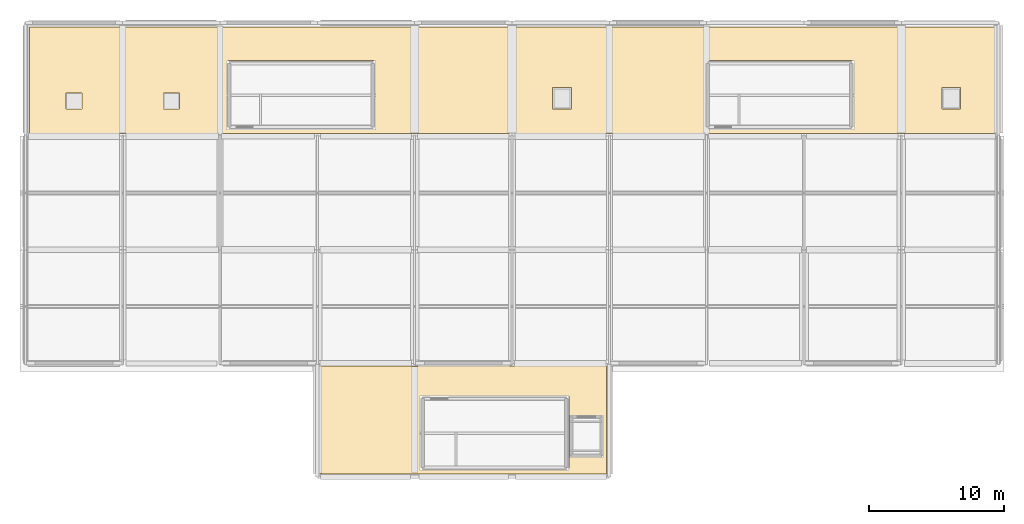
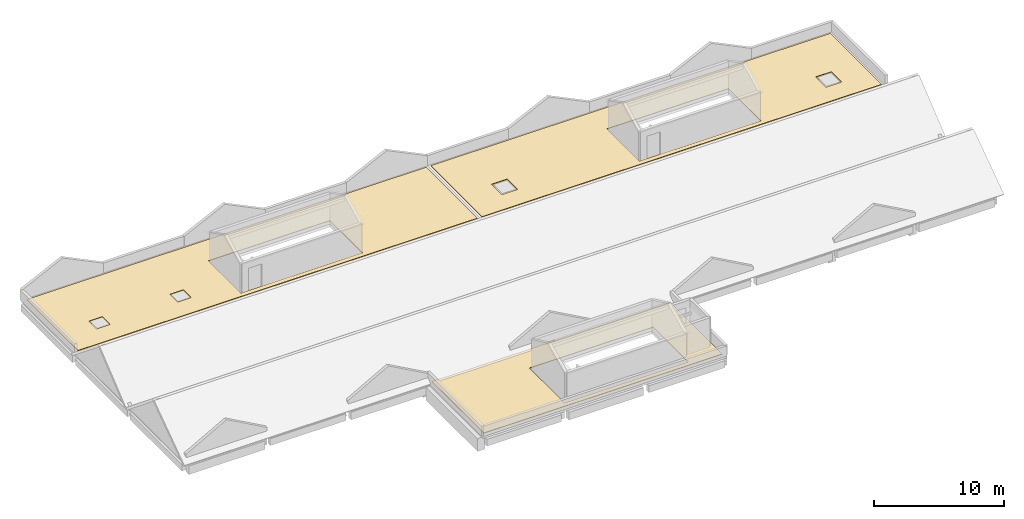
# One storey, part 5 of 5: 3 coverings.
"""IFC4 building model written with IfcOpenShell, lengths in metres."""

from ifc_helpers import new_model, si_unit, direction, frame, origin, place, context, subcontext, project, spatial, polyline, outline, extrude, material, layer, layer_set, type_object, element, save


model = new_model("IFC4")

# Units and contexts
model_context = context("Model", 3, precision=1e-05, world=origin(), true_north=direction((0.0, 1.0)))
body_context = subcontext(model_context, "Body", "Model", "MODEL_VIEW")
ifc_project = project(units=[si_unit("LENGTHUNIT", "METRE"), si_unit("AREAUNIT", "SQUARE_METRE"), si_unit("VOLUMEUNIT", "CUBIC_METRE"), si_unit("PLANEANGLEUNIT", "RADIAN"), si_unit("MASSUNIT", "GRAM", prefix="KILO")], contexts=[model_context])

# Site, building, storey
site_placement = place(None, origin())
site = spatial("IfcSite", under=ifc_project, at=site_placement, CompositionType="ELEMENT")
building_placement = place(site_placement, origin())
building = spatial("IfcBuilding", under=site, at=building_placement, Name="Kalluvel Institute of Natural Sciences", CompositionType="ELEMENT")
storey_placement = place(building_placement, frame((0.0, 0.0, 41.39990234375)))
storey = spatial("IfcBuildingStorey", under=building, at=storey_placement, Name="RF", CompositionType="ELEMENT", Elevation=41.39990234375)

# Coverings
ifc_material = material(Name="SBS Polymer-Modified Bitumen Waterproofing", Category="bitumen")
ifc_layer = layer(ifc_material, 0.06005859375)
ifc_layer_set = layer_set([ifc_layer], Name="SBS Polymer-Modified Bitumen Waterproofing")
covering_type = type_object("IfcCoveringType", Name="COV-ROOF-SBS", PredefinedType="ROOFING", material=ifc_layer_set)
covering_1_placement = place(storey_placement, origin())
element("IfcCovering", 1, at=covering_1_placement, inside=storey, type_object=covering_type, Name="RF SBS roof waterproofing build-up RM-RF-NWALK-W", PredefinedType="ROOFING", context=body_context, shape_type="SweptSolid", body=[
    extrude(outline(polyline([(14.300048828125, 119.800048828125), (49.800048828125, 119.800048828125), (49.800048828125, 127.699951171875), (14.300048828125, 127.699951171875), (14.300048828125, 119.800048828125)]), holes=[polyline([(29.0, 120.199951171875), (39.800048828125, 120.199951171875), (39.800048828125, 125.199951171875), (29.0, 125.199951171875), (29.0, 120.199951171875)]), polyline([(17.0, 121.60009765625), (18.199951171875, 121.60009765625), (18.199951171875, 122.800048828125), (17.0, 122.800048828125), (17.0, 121.60009765625)]), polyline([(24.199951171875, 121.60009765625), (25.39990234375, 121.60009765625), (25.39990234375, 122.800048828125), (24.199951171875, 122.800048828125), (24.199951171875, 121.60009765625)])]), origin(), (0.0, 0.0, 1.0), 0.06005859375),
])
covering_2_placement = place(storey_placement, origin())
element("IfcCovering", 2, at=covering_2_placement, inside=storey, type_object=covering_type, Name="RF SBS roof waterproofing build-up RM-RF-NWALK-E", PredefinedType="ROOFING", context=body_context, shape_type="SweptSolid", body=[
    extrude(outline(polyline([(50.199951171875, 119.800048828125), (85.699951171875, 119.800048828125), (85.699951171875, 127.699951171875), (50.199951171875, 127.699951171875), (50.199951171875, 119.800048828125)]), holes=[polyline([(64.39990234375, 120.199951171875), (75.199951171875, 120.199951171875), (75.199951171875, 125.199951171875), (64.39990234375, 125.199951171875), (64.39990234375, 120.199951171875)]), polyline([(53.0, 121.60009765625), (54.39990234375, 121.60009765625), (54.39990234375, 123.199951171875), (53.0, 123.199951171875), (53.0, 121.60009765625)]), polyline([(81.800048828125, 121.60009765625), (83.199951171875, 121.60009765625), (83.199951171875, 123.199951171875), (81.800048828125, 123.199951171875), (81.800048828125, 121.60009765625)])]), origin(), (0.0, 0.0, 1.0), 0.06005859375),
])
covering_3_placement = place(storey_placement, origin())
element("IfcCovering", 3, at=covering_3_placement, inside=storey, type_object=covering_type, Name="RF SBS roof waterproofing build-up RM-RF-KN", PredefinedType="ROOFING", context=body_context, shape_type="SweptSolid", body=[
    extrude(outline(polyline([(35.800048828125, 94.60009765625), (57.0, 94.60009765625), (57.0, 102.60009765625), (35.800048828125, 102.60009765625), (35.800048828125, 94.60009765625)]), holes=[polyline([(43.199951171875, 95.0), (54.199951171875, 95.0), (54.199951171875, 100.39990234375), (43.199951171875, 100.39990234375), (43.199951171875, 95.0)])]), origin(), (0.0, 0.0, 1.0), 0.06005859375),
])

save(model, "model.ifc")
